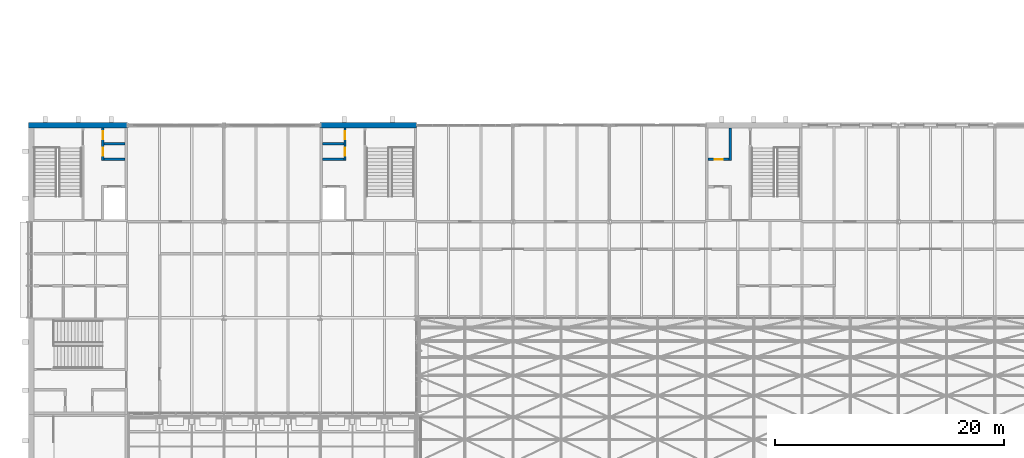
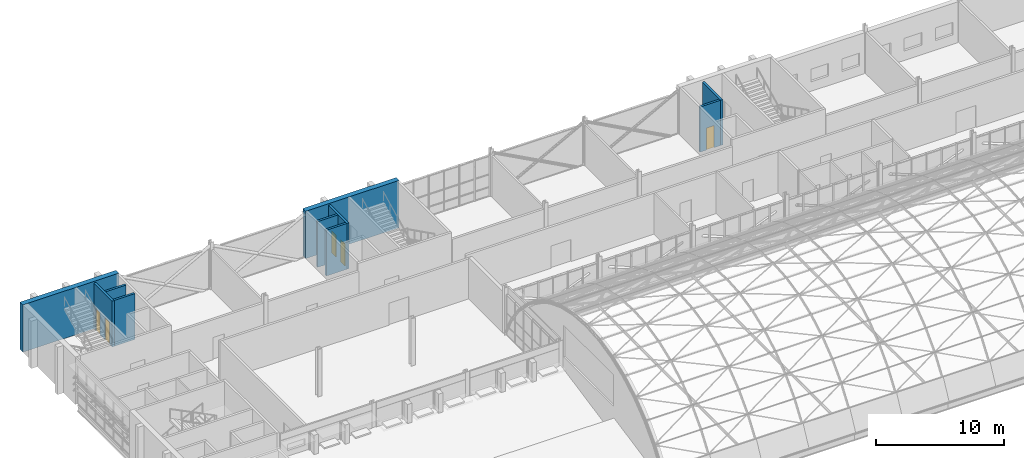
# One storey, part 88 of 121: 10 walls, 5 doors, 5 openings.
"""IFC4 building model written with IfcOpenShell, lengths in metres."""

from ifc_helpers import new_model, si_unit, direction, frame, frame_2d, origin, place, context, subcontext, project, spatial, rectangle, extrude, material, layer, layer_set, type_object, element, fill, save


model = new_model("IFC4")

# Units and contexts
model_context = context("Model", 3, precision=1e-05, world=origin(), true_north=direction((0.0, 1.0)))
body_context = subcontext(model_context, "Body", "Model", "MODEL_VIEW")
ifc_project = project(units=[si_unit("LENGTHUNIT", "METRE"), si_unit("AREAUNIT", "SQUARE_METRE"), si_unit("VOLUMEUNIT", "CUBIC_METRE"), si_unit("PLANEANGLEUNIT", "RADIAN"), si_unit("MASSUNIT", "GRAM", prefix="KILO")], contexts=[model_context])

# Site, building, storey
site_placement = place(None, origin())
site = spatial("IfcSite", under=ifc_project, at=site_placement, CompositionType="ELEMENT")
building_placement = place(site_placement, origin())
building = spatial("IfcBuilding", under=site, at=building_placement, Name="Ardhachandra Cancer Care Centre", CompositionType="ELEMENT")
storey_placement = place(building_placement, frame((0.0, 0.0, 9.0)))
storey = spatial("IfcBuildingStorey", under=building, at=storey_placement, Name="L02", CompositionType="ELEMENT", Elevation=9.0)

# Walls
ifc_material_1 = material(Name="Concrete M40", Category="concrete")
ifc_layer_1 = layer(ifc_material_1, 0.449951171875)
ifc_layer_set_1 = layer_set([ifc_layer_1], Name="Concrete M40")
wall_type_1 = type_object("IfcWallType", Name="Core exterior wall RC 450", PredefinedType="SOLIDWALL", material=ifc_layer_set_1)
wall_1_placement = place(storey_placement, frame((10.574951171875, 96.60009765625, 0.0), z_axis=(0.0, 0.0, 1.0), x_axis=(1.0, 0.0, 0.0)))
element("IfcWall", 1, at=wall_1_placement, inside=storey, type_object=wall_type_1, Name="Core wall K4 FAR", PredefinedType="SOLIDWALL", context=body_context, shape_type="SweptSolid", body=[
    extrude(rectangle(XDim=8.625, YDim=0.449951171875, at=frame_2d((4.3125, 0.0))), origin(), (0.0, 0.0, 1.0), 4.5),
])
wall_2_placement = place(storey_placement, frame((44.39990234375, 96.60009765625, 0.0), z_axis=(0.0, 0.0, 1.0), x_axis=(-1.0, 0.0, 0.0)))
element("IfcWall", 2, at=wall_2_placement, inside=storey, type_object=wall_type_1, Name="Core wall K5 FAR", PredefinedType="SOLIDWALL", context=body_context, shape_type="SweptSolid", body=[
    extrude(rectangle(XDim=8.39990234375, YDim=0.449951171875, at=frame_2d((4.199951171875, 0.0))), origin(), (0.0, 0.0, 1.0), 4.5),
])

# Wall, openings, doors
ifc_material_2 = material(Name="Concrete M40", Category="concrete")
ifc_layer_2 = layer(ifc_material_2, 0.199951171875)
ifc_layer_set_2 = layer_set([ifc_layer_2], Name="Concrete M40")
wall_type_2 = type_object("IfcWallType", Name="Core wall RC 200", PredefinedType="SOLIDWALL", material=ifc_layer_set_2)
wall_3_placement = place(storey_placement, frame((17.050048828125, 93.52490234375, 0.0), z_axis=(0.0, 0.0, 1.0), x_axis=(0.0, 1.0, 0.0)))
wall_3 = element("IfcWall", 3, at=wall_3_placement, inside=storey, type_object=wall_type_2, Name="Core wall K4 P2B", PredefinedType="SOLIDWALL", context=body_context, shape_type="SweptSolid", body=[
    extrude(rectangle(XDim=2.85009765625, YDim=0.199951171875, at=frame_2d((1.425048828125, 0.0))), origin(), (0.0, 0.0, 1.0), 4.35009765625),
])
opening_1_placement = place(wall_3_placement, frame((0.425048828125, 0.0, 0.0)))
opening_1 = element("IfcOpeningElement", 4, at=opening_1_placement, cuts=wall_3, Name="Opening L02-K04-4", PredefinedType="OPENING", context=body_context, shape_type="SweptSolid", body=[
    extrude(rectangle(XDim=0.699951171875, YDim=2.10009765625, at=frame_2d((0.35009765625, 1.050048828125))), frame((0.0, 0.10986328125, 0.0), z_axis=(0.0, -1.0, 0.0), x_axis=(1.0, 0.0, 0.0)), (0.0, 0.0, 1.0), 0.219970703125),
])
opening_2_placement = place(wall_3_placement, frame((1.85009765625, 0.0, 0.0)))
opening_2 = element("IfcOpeningElement", 5, at=opening_2_placement, cuts=wall_3, Name="Opening L02-K04-5", PredefinedType="OPENING", context=body_context, shape_type="SweptSolid", body=[
    extrude(rectangle(XDim=0.699951171875, YDim=2.10009765625, at=frame_2d((0.35009765625, 1.050048828125))), frame((0.0, 0.10986328125, 0.0), z_axis=(0.0, -1.0, 0.0), x_axis=(1.0, 0.0, 0.0)), (0.0, 0.0, 1.0), 0.219970703125),
])
ifc_material_3 = material(Name="Steel door set", Category="steel")
door_type = type_object("IfcDoorType", Name="Riser access door 700x2100 FD120S", OperationType="NOTDEFINED", PredefinedType="DOOR", material=ifc_material_3)
door_1_placement = place(opening_1_placement, origin())
door_1 = element("IfcDoor", 6, at=door_1_placement, inside=storey, type_object=door_type, Name="Riser access door", OperationType="SINGLE_SWING_LEFT", OverallHeight=2.10009765625, OverallWidth=0.699951171875, PredefinedType="DOOR", context=body_context, shape_type="SweptSolid", body=[
    extrude(rectangle(XDim=0.699951171875, YDim=2.10009765625, at=frame_2d((0.35009765625, 1.050048828125))), frame((0.0, 0.02490234375, 0.0), z_axis=(0.0, -1.0, 0.0), x_axis=(1.0, 0.0, 0.0)), (0.0, 0.0, 1.0), 0.050048828125),
])
fill(opening_1, door_1)
door_2_placement = place(opening_2_placement, origin())
door_2 = element("IfcDoor", 7, at=door_2_placement, inside=storey, type_object=door_type, Name="Riser access door", OperationType="SINGLE_SWING_RIGHT", OverallHeight=2.10009765625, OverallWidth=0.699951171875, PredefinedType="DOOR", context=body_context, shape_type="SweptSolid", body=[
    extrude(rectangle(XDim=0.699951171875, YDim=2.10009765625, at=frame_2d((0.35009765625, 1.050048828125))), frame((0.0, 0.02490234375, 0.0), z_axis=(0.0, -1.0, 0.0), x_axis=(1.0, 0.0, 0.0)), (0.0, 0.0, 1.0), 0.050048828125),
])
fill(opening_2, door_2)

# Walls
for number, where, z_axis, x_axis, name in (
    (8, (17.14990234375, 93.625, 0.0), (0.0, 0.0, 1.0), (1.0, 0.0, 0.0), "Core wall K4 W2"),
    (9, (17.14990234375, 94.97509765625, 0.0), (0.0, 0.0, 1.0), (1.0, 0.0, 0.0), "Core wall K4 DIV"),
):
    element("IfcWall", number, at=place(storey_placement, frame(where, z_axis=z_axis, x_axis=x_axis)), inside=storey, type_object=wall_type_2, Name=name, PredefinedType="SOLIDWALL", context=body_context, shape_type="SweptSolid", body=[
        extrude(rectangle(XDim=1.85009765625, YDim=0.199951171875, at=frame_2d((0.925048828125, 0.0))), origin(), (0.0, 0.0, 1.0), 4.35009765625),
    ])

# Wall, openings, doors
wall_4_placement = place(storey_placement, frame((38.14990234375, 93.52490234375, 0.0), z_axis=(0.0, 0.0, 1.0), x_axis=(0.0, 1.0, 0.0)))
wall_4 = element("IfcWall", 10, at=wall_4_placement, inside=storey, type_object=wall_type_2, Name="Core wall K5 P2B", PredefinedType="SOLIDWALL", context=body_context, shape_type="SweptSolid", body=[
    extrude(rectangle(XDim=2.85009765625, YDim=0.199951171875, at=frame_2d((1.425048828125, 0.0))), origin(), (0.0, 0.0, 1.0), 4.35009765625),
])
opening_3_placement = place(wall_4_placement, frame((0.425048828125, 0.0, 0.0)))
opening_3 = element("IfcOpeningElement", 11, at=opening_3_placement, cuts=wall_4, Name="Opening L02-K05-4", PredefinedType="OPENING", context=body_context, shape_type="SweptSolid", body=[
    extrude(rectangle(XDim=0.699951171875, YDim=2.10009765625, at=frame_2d((0.35009765625, 1.050048828125))), frame((0.0, 0.10986328125, 0.0), z_axis=(0.0, -1.0, 0.0), x_axis=(1.0, 0.0, 0.0)), (0.0, 0.0, 1.0), 0.219970703125),
])
opening_4_placement = place(wall_4_placement, frame((1.85009765625, 0.0, 0.0)))
opening_4 = element("IfcOpeningElement", 12, at=opening_4_placement, cuts=wall_4, Name="Opening L02-K05-5", PredefinedType="OPENING", context=body_context, shape_type="SweptSolid", body=[
    extrude(rectangle(XDim=0.699951171875, YDim=2.10009765625, at=frame_2d((0.35009765625, 1.050048828125))), frame((0.0, 0.10986328125, 0.0), z_axis=(0.0, -1.0, 0.0), x_axis=(1.0, 0.0, 0.0)), (0.0, 0.0, 1.0), 0.219970703125),
])
door_3_placement = place(opening_3_placement, origin())
door_3 = element("IfcDoor", 13, at=door_3_placement, inside=storey, type_object=door_type, Name="Riser access door", OperationType="SINGLE_SWING_RIGHT", OverallHeight=2.10009765625, OverallWidth=0.699951171875, PredefinedType="DOOR", context=body_context, shape_type="SweptSolid", body=[
    extrude(rectangle(XDim=0.699951171875, YDim=2.10009765625, at=frame_2d((0.35009765625, 1.050048828125))), frame((0.0, 0.02490234375, 0.0), z_axis=(0.0, -1.0, 0.0), x_axis=(1.0, 0.0, 0.0)), (0.0, 0.0, 1.0), 0.050048828125),
])
fill(opening_3, door_3)
door_4_placement = place(opening_4_placement, origin())
door_4 = element("IfcDoor", 14, at=door_4_placement, inside=storey, type_object=door_type, Name="Riser access door", OperationType="SINGLE_SWING_LEFT", OverallHeight=2.10009765625, OverallWidth=0.699951171875, PredefinedType="DOOR", context=body_context, shape_type="SweptSolid", body=[
    extrude(rectangle(XDim=0.699951171875, YDim=2.10009765625, at=frame_2d((0.35009765625, 1.050048828125))), frame((0.0, 0.02490234375, 0.0), z_axis=(0.0, -1.0, 0.0), x_axis=(1.0, 0.0, 0.0)), (0.0, 0.0, 1.0), 0.050048828125),
])
fill(opening_4, door_4)

# Walls
for number, where, z_axis, x_axis, name in (
    (15, (38.050048828125, 93.625, 0.0), (0.0, 0.0, 1.0), (-1.0, 0.0, 0.0), "Core wall K5 W2"),
    (16, (38.050048828125, 94.97509765625, 0.0), (0.0, 0.0, 1.0), (-1.0, 0.0, 0.0), "Core wall K5 DIV"),
):
    element("IfcWall", number, at=place(storey_placement, frame(where, z_axis=z_axis, x_axis=x_axis)), inside=storey, type_object=wall_type_2, Name=name, PredefinedType="SOLIDWALL", context=body_context, shape_type="SweptSolid", body=[
        extrude(rectangle(XDim=1.85009765625, YDim=0.199951171875, at=frame_2d((0.925048828125, 0.0))), origin(), (0.0, 0.0, 1.0), 4.35009765625),
    ])
wall_5_placement = place(storey_placement, frame((71.75, 93.52490234375, 0.0), z_axis=(0.0, 0.0, 1.0), x_axis=(0.0, 1.0, 0.0)))
element("IfcWall", 17, at=wall_5_placement, inside=storey, type_object=wall_type_2, Name="Core wall K8 P2B", PredefinedType="SOLIDWALL", context=body_context, shape_type="SweptSolid", body=[
    extrude(rectangle(XDim=2.85009765625, YDim=0.199951171875, at=frame_2d((1.425048828125, 0.0))), origin(), (0.0, 0.0, 1.0), 4.300048828125),
])

# Wall, opening, door
wall_6_placement = place(storey_placement, frame((71.64990234375, 93.625, 0.0), z_axis=(0.0, 0.0, 1.0), x_axis=(-1.0, 0.0, 0.0)))
wall_6 = element("IfcWall", 18, at=wall_6_placement, inside=storey, type_object=wall_type_2, Name="Core wall K8 W2", PredefinedType="SOLIDWALL", context=body_context, shape_type="SweptSolid", body=[
    extrude(rectangle(XDim=1.849853515625, YDim=0.199951171875, at=frame_2d((0.9248046875, 0.0))), origin(), (0.0, 0.0, 1.0), 4.300048828125),
])
opening_5_placement = place(wall_6_placement, frame((0.574951171875, 0.0, 0.0)))
opening_5 = element("IfcOpeningElement", 19, at=opening_5_placement, cuts=wall_6, Name="Opening L02-K08-4", PredefinedType="OPENING", context=body_context, shape_type="SweptSolid", body=[
    extrude(rectangle(XDim=0.699951171875, YDim=2.10009765625, at=frame_2d((0.35009765625, 1.050048828125))), frame((0.0, 0.10986328125, 0.0), z_axis=(0.0, -1.0, 0.0), x_axis=(1.0, 0.0, 0.0)), (0.0, 0.0, 1.0), 0.219970703125),
])
door_5_placement = place(opening_5_placement, origin())
door_5 = element("IfcDoor", 20, at=door_5_placement, inside=storey, type_object=door_type, Name="Riser access door", OperationType="SINGLE_SWING_RIGHT", OverallHeight=2.10009765625, OverallWidth=0.699951171875, PredefinedType="DOOR", context=body_context, shape_type="SweptSolid", body=[
    extrude(rectangle(XDim=0.699951171875, YDim=2.10009765625, at=frame_2d((0.35009765625, 1.050048828125))), frame((0.0, 0.02490234375, 0.0), z_axis=(0.0, -1.0, 0.0), x_axis=(1.0, 0.0, 0.0)), (0.0, 0.0, 1.0), 0.050048828125),
])
fill(opening_5, door_5)

save(model, "model.ifc")
